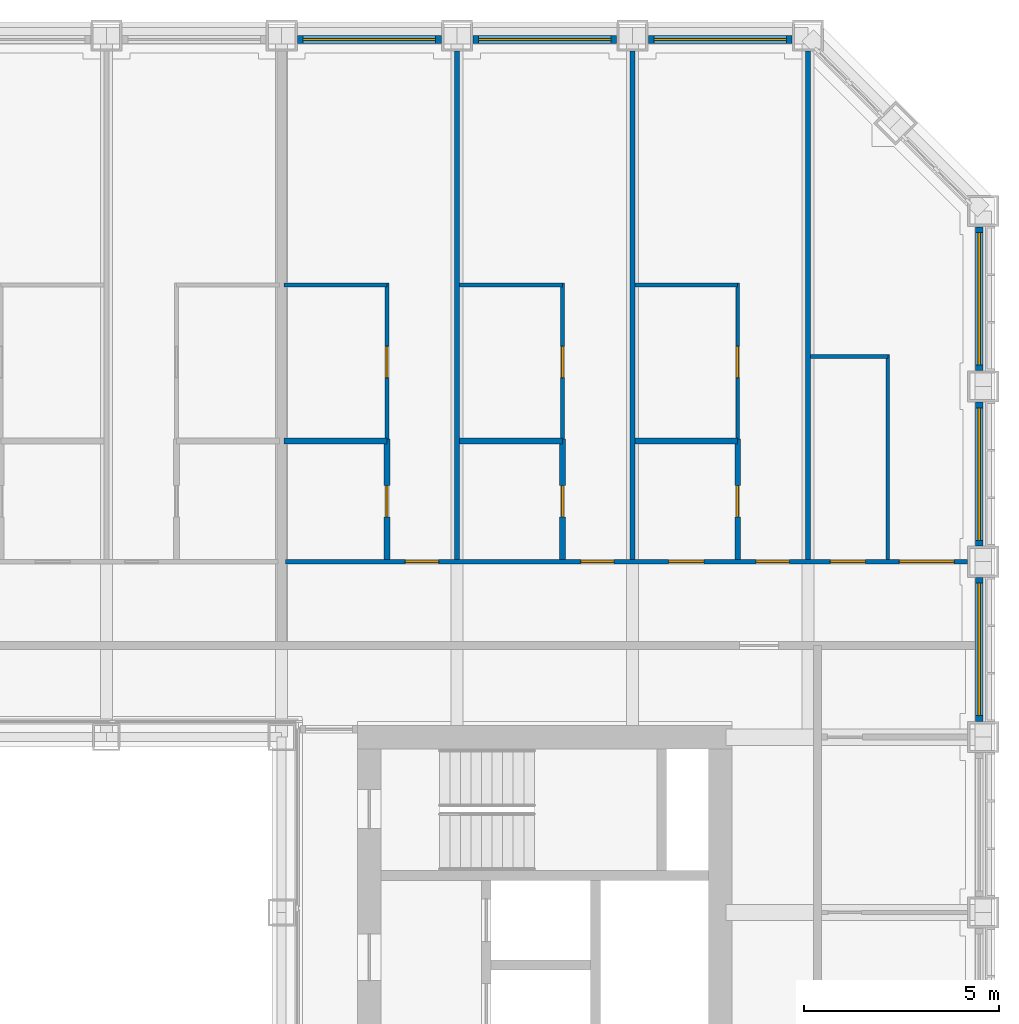
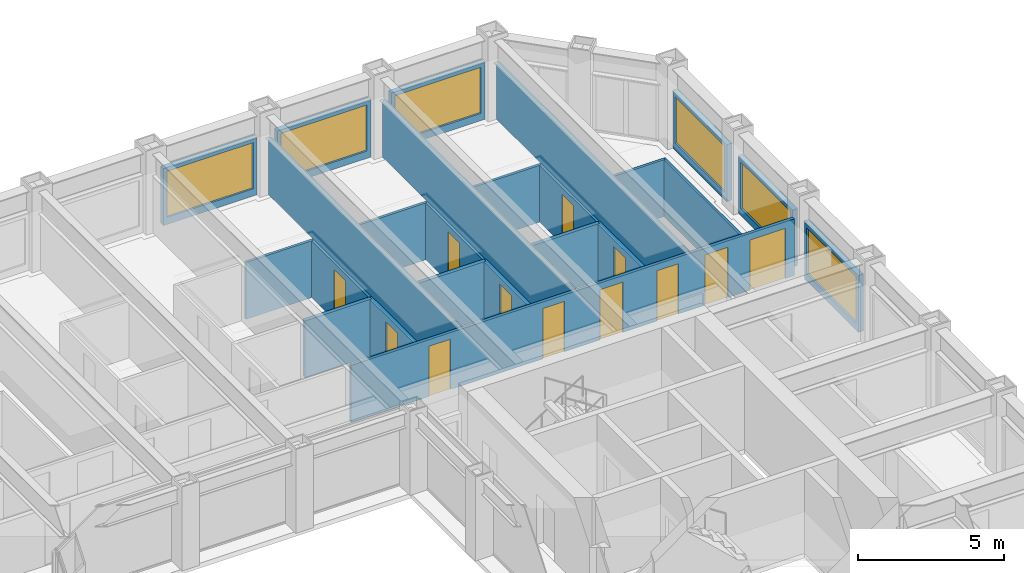
# One storey, part 15 of 21: 24 walls, 12 doors, 6 windows, 18 openings.
"""IFC4 building model written with IfcOpenShell, lengths in metres."""

from ifc_helpers import new_model, si_unit, direction, frame, frame_2d, origin, place, context, subcontext, project, spatial, rectangle, extrude, material, layer, layer_set, type_object, element, fill, save


model = new_model("IFC4")

# Units and contexts
model_context = context("Model", 3, precision=1e-05, world=origin(), true_north=direction((0.0, 1.0)))
body_context = subcontext(model_context, "Body", "Model", "MODEL_VIEW")
ifc_project = project(units=[si_unit("LENGTHUNIT", "METRE"), si_unit("AREAUNIT", "SQUARE_METRE"), si_unit("VOLUMEUNIT", "CUBIC_METRE"), si_unit("PLANEANGLEUNIT", "RADIAN"), si_unit("MASSUNIT", "GRAM", prefix="KILO")], contexts=[model_context])

# Site, building, storey
site_placement = place(None, origin())
site = spatial("IfcSite", under=ifc_project, at=site_placement, CompositionType="ELEMENT")
building_placement = place(site_placement, origin())
building = spatial("IfcBuilding", under=site, at=building_placement, Name="Msasa Ring Tower", CompositionType="ELEMENT")
storey_placement = place(building_placement, frame((0.0, 0.0, 72.0)))
storey = spatial("IfcBuildingStorey", under=building, at=storey_placement, Name="L18", CompositionType="ELEMENT", Elevation=72.0)

# Wall, opening, window
ifc_material_1 = material(Name="Terracotta rainscreen on blockwork", Category="masonry")
ifc_layer_1 = layer(ifc_material_1, 0.199951171875)
ifc_layer_set_1 = layer_set([ifc_layer_1], Name="FW1 TERRACOTTA-LINED INFILL BAY WALL 200")
wall_type_1 = type_object("IfcWallType", Name="FW1 TERRACOTTA-LINED INFILL BAY WALL 200", PredefinedType="SOLIDWALL", material=ifc_layer_set_1)
wall_1_placement = place(storey_placement, frame((24.64990234375, 7.155029296875, 0.0), z_axis=(0.0, 0.0, 1.0), x_axis=(0.0, 1.0, 0.0)))
wall_1 = element("IfcWall", 1, at=wall_1_placement, inside=storey, type_object=wall_type_1, Name="Infill bay wall E L18 17", PredefinedType="SOLIDWALL", context=body_context, shape_type="SweptSolid", body=[
    extrude(rectangle(XDim=3.68994140625, YDim=0.199951171875, at=frame_2d((1.844970703125, 0.0))), origin(), (0.0, 0.0, 1.0), 2.37890625),
])
opening_1_placement = place(wall_1_placement, frame((0.14501953125, 0.0, 0.300048828125)))
opening_1 = element("IfcOpeningElement", 2, at=opening_1_placement, cuts=wall_1, Name="Opening WN1", PredefinedType="OPENING", context=body_context, shape_type="SweptSolid", body=[
    extrude(rectangle(XDim=3.39990234375, YDim=1.928955078125, at=frame_2d((1.699951171875, 0.96435546875))), frame((0.0, 0.10986328125, 0.0), z_axis=(0.0, -1.0, 0.0), x_axis=(1.0, 0.0, 0.0)), (0.0, 0.0, 1.0), 0.219970703125),
])
ifc_material_2 = material(Name="Aluminium frame with clear glass", Category="aluminium")
window_type = type_object("IfcWindowType", Name="WN1 RESIDENCE WINDOW 3400x1929", PartitioningType="SINGLE_PANEL", PredefinedType="WINDOW", material=ifc_material_2)
window_1_placement = place(opening_1_placement, origin())
window_1 = element("IfcWindow", 3, at=window_1_placement, inside=storey, type_object=window_type, Name="Window E L18 17", OverallHeight=1.928955078125, OverallWidth=3.39990234375, PartitioningType="SINGLE_PANEL", PredefinedType="WINDOW", context=body_context, shape_type="SweptSolid", body=[
    extrude(rectangle(XDim=3.39990234375, YDim=1.928955078125, at=frame_2d((1.699951171875, 0.96435546875))), frame((0.0, 0.030029296875, 0.0), z_axis=(0.0, -1.0, 0.0), x_axis=(1.0, 0.0, 0.0)), (0.0, 0.0, 1.0), 0.06005859375),
])
fill(opening_1, window_1)

wall_2_placement = place(storey_placement, frame((24.64990234375, 11.655029296875, 0.0), z_axis=(0.0, 0.0, 1.0), x_axis=(0.0, 1.0, 0.0)))
wall_2 = element("IfcWall", 4, at=wall_2_placement, inside=storey, type_object=wall_type_1, Name="Infill bay wall E L18 18", PredefinedType="SOLIDWALL", context=body_context, shape_type="SweptSolid", body=[
    extrude(rectangle(XDim=3.68994140625, YDim=0.199951171875, at=frame_2d((1.844970703125, 0.0))), origin(), (0.0, 0.0, 1.0), 2.37890625),
])
opening_2_placement = place(wall_2_placement, frame((0.14501953125, 0.0, 0.300048828125)))
opening_2 = element("IfcOpeningElement", 5, at=opening_2_placement, cuts=wall_2, Name="Opening WN1", PredefinedType="OPENING", context=body_context, shape_type="SweptSolid", body=[
    extrude(rectangle(XDim=3.39990234375, YDim=1.928955078125, at=frame_2d((1.699951171875, 0.96435546875))), frame((0.0, 0.10986328125, 0.0), z_axis=(0.0, -1.0, 0.0), x_axis=(1.0, 0.0, 0.0)), (0.0, 0.0, 1.0), 0.219970703125),
])
window_2_placement = place(opening_2_placement, origin())
window_2 = element("IfcWindow", 6, at=window_2_placement, inside=storey, type_object=window_type, Name="Window E L18 18", OverallHeight=1.928955078125, OverallWidth=3.39990234375, PartitioningType="SINGLE_PANEL", PredefinedType="WINDOW", context=body_context, shape_type="SweptSolid", body=[
    extrude(rectangle(XDim=3.39990234375, YDim=1.928955078125, at=frame_2d((1.699951171875, 0.96435546875))), frame((0.0, 0.030029296875, 0.0), z_axis=(0.0, -1.0, 0.0), x_axis=(1.0, 0.0, 0.0)), (0.0, 0.0, 1.0), 0.06005859375),
])
fill(opening_2, window_2)

wall_3_placement = place(storey_placement, frame((24.64990234375, 16.155029296875, 0.0), z_axis=(0.0, 0.0, 1.0), x_axis=(0.0, 1.0, 0.0)))
wall_3 = element("IfcWall", 7, at=wall_3_placement, inside=storey, type_object=wall_type_1, Name="Infill bay wall E L18 19", PredefinedType="SOLIDWALL", context=body_context, shape_type="SweptSolid", body=[
    extrude(rectangle(XDim=3.68994140625, YDim=0.199951171875, at=frame_2d((1.844970703125, 0.0))), origin(), (0.0, 0.0, 1.0), 2.37890625),
])
opening_3_placement = place(wall_3_placement, frame((0.14501953125, 0.0, 0.300048828125)))
opening_3 = element("IfcOpeningElement", 8, at=opening_3_placement, cuts=wall_3, Name="Opening WN1", PredefinedType="OPENING", context=body_context, shape_type="SweptSolid", body=[
    extrude(rectangle(XDim=3.39990234375, YDim=1.928955078125, at=frame_2d((1.699951171875, 0.96435546875))), frame((0.0, 0.10986328125, 0.0), z_axis=(0.0, -1.0, 0.0), x_axis=(1.0, 0.0, 0.0)), (0.0, 0.0, 1.0), 0.219970703125),
])
window_3_placement = place(opening_3_placement, origin())
window_3 = element("IfcWindow", 9, at=window_3_placement, inside=storey, type_object=window_type, Name="Window E L18 19", OverallHeight=1.928955078125, OverallWidth=3.39990234375, PartitioningType="SINGLE_PANEL", PredefinedType="WINDOW", context=body_context, shape_type="SweptSolid", body=[
    extrude(rectangle(XDim=3.39990234375, YDim=1.928955078125, at=frame_2d((1.699951171875, 0.96435546875))), frame((0.0, 0.030029296875, 0.0), z_axis=(0.0, -1.0, 0.0), x_axis=(1.0, 0.0, 0.0)), (0.0, 0.0, 1.0), 0.06005859375),
])
fill(opening_3, window_3)

wall_4_placement = place(storey_placement, frame((7.155029296875, 24.64990234375, 0.0), z_axis=(0.0, 0.0, 1.0), x_axis=(1.0, 0.0, 0.0)))
wall_4 = element("IfcWall", 10, at=wall_4_placement, inside=storey, type_object=wall_type_1, Name="Infill bay wall N L18 28", PredefinedType="SOLIDWALL", context=body_context, shape_type="SweptSolid", body=[
    extrude(rectangle(XDim=3.68994140625, YDim=0.199951171875, at=frame_2d((1.844970703125, 0.0))), origin(), (0.0, 0.0, 1.0), 2.37890625),
])
opening_4_placement = place(wall_4_placement, frame((0.14501953125, 0.0, 0.300048828125)))
opening_4 = element("IfcOpeningElement", 11, at=opening_4_placement, cuts=wall_4, Name="Opening WN1", PredefinedType="OPENING", context=body_context, shape_type="SweptSolid", body=[
    extrude(rectangle(XDim=3.39990234375, YDim=1.928955078125, at=frame_2d((1.699951171875, 0.96435546875))), frame((0.0, 0.10986328125, 0.0), z_axis=(0.0, -1.0, 0.0), x_axis=(1.0, 0.0, 0.0)), (0.0, 0.0, 1.0), 0.219970703125),
])
window_4_placement = place(opening_4_placement, origin())
window_4 = element("IfcWindow", 12, at=window_4_placement, inside=storey, type_object=window_type, Name="Window N L18 28", OverallHeight=1.928955078125, OverallWidth=3.39990234375, PartitioningType="SINGLE_PANEL", PredefinedType="WINDOW", context=body_context, shape_type="SweptSolid", body=[
    extrude(rectangle(XDim=3.39990234375, YDim=1.928955078125, at=frame_2d((1.699951171875, 0.96435546875))), frame((0.0, 0.030029296875, 0.0), z_axis=(0.0, -1.0, 0.0), x_axis=(1.0, 0.0, 0.0)), (0.0, 0.0, 1.0), 0.06005859375),
])
fill(opening_4, window_4)

wall_5_placement = place(storey_placement, frame((11.655029296875, 24.64990234375, 0.0), z_axis=(0.0, 0.0, 1.0), x_axis=(1.0, 0.0, 0.0)))
wall_5 = element("IfcWall", 13, at=wall_5_placement, inside=storey, type_object=wall_type_1, Name="Infill bay wall N L18 29", PredefinedType="SOLIDWALL", context=body_context, shape_type="SweptSolid", body=[
    extrude(rectangle(XDim=3.68994140625, YDim=0.199951171875, at=frame_2d((1.844970703125, 0.0))), origin(), (0.0, 0.0, 1.0), 2.37890625),
])
opening_5_placement = place(wall_5_placement, frame((0.14501953125, 0.0, 0.300048828125)))
opening_5 = element("IfcOpeningElement", 14, at=opening_5_placement, cuts=wall_5, Name="Opening WN1", PredefinedType="OPENING", context=body_context, shape_type="SweptSolid", body=[
    extrude(rectangle(XDim=3.39990234375, YDim=1.928955078125, at=frame_2d((1.699951171875, 0.96435546875))), frame((0.0, 0.10986328125, 0.0), z_axis=(0.0, -1.0, 0.0), x_axis=(1.0, 0.0, 0.0)), (0.0, 0.0, 1.0), 0.219970703125),
])
window_5_placement = place(opening_5_placement, origin())
window_5 = element("IfcWindow", 15, at=window_5_placement, inside=storey, type_object=window_type, Name="Window N L18 29", OverallHeight=1.928955078125, OverallWidth=3.39990234375, PartitioningType="SINGLE_PANEL", PredefinedType="WINDOW", context=body_context, shape_type="SweptSolid", body=[
    extrude(rectangle(XDim=3.39990234375, YDim=1.928955078125, at=frame_2d((1.699951171875, 0.96435546875))), frame((0.0, 0.030029296875, 0.0), z_axis=(0.0, -1.0, 0.0), x_axis=(1.0, 0.0, 0.0)), (0.0, 0.0, 1.0), 0.06005859375),
])
fill(opening_5, window_5)

wall_6_placement = place(storey_placement, frame((16.155029296875, 24.64990234375, 0.0), z_axis=(0.0, 0.0, 1.0), x_axis=(1.0, 0.0, 0.0)))
wall_6 = element("IfcWall", 16, at=wall_6_placement, inside=storey, type_object=wall_type_1, Name="Infill bay wall N L18 30", PredefinedType="SOLIDWALL", context=body_context, shape_type="SweptSolid", body=[
    extrude(rectangle(XDim=3.68994140625, YDim=0.199951171875, at=frame_2d((1.844970703125, 0.0))), origin(), (0.0, 0.0, 1.0), 2.37890625),
])
opening_6_placement = place(wall_6_placement, frame((0.14501953125, 0.0, 0.300048828125)))
opening_6 = element("IfcOpeningElement", 17, at=opening_6_placement, cuts=wall_6, Name="Opening WN1", PredefinedType="OPENING", context=body_context, shape_type="SweptSolid", body=[
    extrude(rectangle(XDim=3.39990234375, YDim=1.928955078125, at=frame_2d((1.699951171875, 0.96435546875))), frame((0.0, 0.10986328125, 0.0), z_axis=(0.0, -1.0, 0.0), x_axis=(1.0, 0.0, 0.0)), (0.0, 0.0, 1.0), 0.219970703125),
])
window_6_placement = place(opening_6_placement, origin())
window_6 = element("IfcWindow", 18, at=window_6_placement, inside=storey, type_object=window_type, Name="Window N L18 30", OverallHeight=1.928955078125, OverallWidth=3.39990234375, PartitioningType="SINGLE_PANEL", PredefinedType="WINDOW", context=body_context, shape_type="SweptSolid", body=[
    extrude(rectangle(XDim=3.39990234375, YDim=1.928955078125, at=frame_2d((1.699951171875, 0.96435546875))), frame((0.0, 0.030029296875, 0.0), z_axis=(0.0, -1.0, 0.0), x_axis=(1.0, 0.0, 0.0)), (0.0, 0.0, 1.0), 0.06005859375),
])
fill(opening_6, window_6)

# Walls
ifc_material_3 = material(Name="Gypsum board on steel studs", Category="steel")
ifc_layer_2 = layer(ifc_material_3, 0.10009765625)
ifc_layer_set_2 = layer_set([ifc_layer_2], Name="PT2 STUD PARTITION 100")
wall_type_2 = type_object("IfcWallType", Name="PT2 STUD PARTITION 100", PredefinedType="PARTITIONING", material=ifc_layer_set_2)
wall_7_placement = place(storey_placement, frame((22.300048828125, 11.3125, 0.0), z_axis=(0.0, 0.0, 1.0), x_axis=(0.0, 1.0, 0.0)))
element("IfcWall", 19, at=wall_7_placement, inside=storey, type_object=wall_type_2, Name="Partition L18-UN02KX", PredefinedType="PARTITIONING", context=body_context, shape_type="SweptSolid", body=[
    extrude(rectangle(XDim=5.25, YDim=0.10009765625, at=frame_2d((2.625, 0.0))), origin(), (0.0, 0.0, 1.0), 2.373291015625),
])
wall_8_placement = place(storey_placement, frame((20.3125, 16.512451171875, 0.0), z_axis=(0.0, 0.0, 1.0), x_axis=(1.0, 0.0, 0.0)))
element("IfcWall", 20, at=wall_8_placement, inside=storey, type_object=wall_type_2, Name="Partition L18-UN02KY", PredefinedType="PARTITIONING", context=body_context, shape_type="SweptSolid", body=[
    extrude(rectangle(XDim=1.987548828125, YDim=0.10009765625, at=frame_2d((0.99365234375, 0.0))), origin(), (0.0, 0.0, 1.0), 2.373291015625),
])

# Wall, opening, door
wall_9_placement = place(storey_placement, frame((18.449951171875, 14.39990234375, 0.0), z_axis=(0.0, 0.0, 1.0), x_axis=(0.0, 1.0, 0.0)))
wall_9 = element("IfcWall", 21, at=wall_9_placement, inside=storey, type_object=wall_type_2, Name="Partition L18-UN02WX1", PredefinedType="PARTITIONING", context=body_context, shape_type="SweptSolid", body=[
    extrude(rectangle(XDim=4.00048828125, YDim=0.10009765625, at=frame_2d((2.000244140625, 0.0))), origin(), (0.0, 0.0, 1.0), 2.373291015625),
])
opening_7_placement = place(wall_9_placement, frame((1.5751953125, 0.0, 0.0)))
opening_7 = element("IfcOpeningElement", 22, at=opening_7_placement, cuts=wall_9, Name="Opening RE-008", PredefinedType="OPENING", context=body_context, shape_type="SweptSolid", body=[
    extrude(rectangle(XDim=0.800048828125, YDim=2.10009765625, at=frame_2d((0.39990234375, 1.050048828125))), frame((0.0, 0.06005859375, 0.0), z_axis=(0.0, -1.0, 0.0), x_axis=(1.0, 0.0, 0.0)), (0.0, 0.0, 1.0), 0.1201171875),
])
ifc_material_4 = material(Name="Timber door leaf in a steel frame", Category="steel")
door_type_1 = type_object("IfcDoorType", Name="D60 DRESSING ROOM DOOR 800x2100", OperationType="SINGLE_SWING_LEFT", PredefinedType="DOOR", material=ifc_material_4)
door_1_placement = place(opening_7_placement, origin())
door_1 = element("IfcDoor", 23, at=door_1_placement, inside=storey, type_object=door_type_1, Name="Door L18-UN02W1", OperationType="SINGLE_SWING_LEFT", OverallHeight=2.10009765625, OverallWidth=0.800048828125, PredefinedType="DOOR", context=body_context, shape_type="SweptSolid", body=[
    extrude(rectangle(XDim=0.800048828125, YDim=2.10009765625, at=frame_2d((0.39990234375, 1.050048828125))), frame((0.0, 0.02490234375, 0.0), z_axis=(0.0, -1.0, 0.0), x_axis=(1.0, 0.0, 0.0)), (0.0, 0.0, 1.0), 0.050048828125),
])
fill(opening_7, door_1)

# Wall
wall_10_placement = place(storey_placement, frame((15.81005859375, 18.350341796875, 0.0), z_axis=(0.0, 0.0, 1.0), x_axis=(1.0, 0.0, 0.0)))
element("IfcWall", 24, at=wall_10_placement, inside=storey, type_object=wall_type_2, Name="Partition L18-UN02WY1", PredefinedType="PARTITIONING", context=body_context, shape_type="SweptSolid", body=[
    extrude(rectangle(XDim=2.639892578125, YDim=0.10009765625, at=frame_2d((1.31982421875, 0.0))), origin(), (0.0, 0.0, 1.0), 2.373291015625),
])

# Wall, opening, door
wall_11_placement = place(storey_placement, frame((13.949951171875, 14.39990234375, 0.0), z_axis=(0.0, 0.0, 1.0), x_axis=(0.0, 1.0, 0.0)))
wall_11 = element("IfcWall", 25, at=wall_11_placement, inside=storey, type_object=wall_type_2, Name="Partition L18-UN02WX2", PredefinedType="PARTITIONING", context=body_context, shape_type="SweptSolid", body=[
    extrude(rectangle(XDim=4.003173828125, YDim=0.10009765625, at=frame_2d((2.00146484375, 0.0))), origin(), (0.0, 0.0, 1.0), 2.373291015625),
])
opening_8_placement = place(wall_11_placement, frame((1.576416015625, 0.0, 0.0)))
opening_8 = element("IfcOpeningElement", 26, at=opening_8_placement, cuts=wall_11, Name="Opening RE-007", PredefinedType="OPENING", context=body_context, shape_type="SweptSolid", body=[
    extrude(rectangle(XDim=0.800048828125, YDim=2.10009765625, at=frame_2d((0.39990234375, 1.050048828125))), frame((0.0, 0.06005859375, 0.0), z_axis=(0.0, -1.0, 0.0), x_axis=(1.0, 0.0, 0.0)), (0.0, 0.0, 1.0), 0.1201171875),
])
door_2_placement = place(opening_8_placement, origin())
door_2 = element("IfcDoor", 27, at=door_2_placement, inside=storey, type_object=door_type_1, Name="Door L18-UN02W2", OperationType="SINGLE_SWING_LEFT", OverallHeight=2.10009765625, OverallWidth=0.800048828125, PredefinedType="DOOR", context=body_context, shape_type="SweptSolid", body=[
    extrude(rectangle(XDim=0.800048828125, YDim=2.10009765625, at=frame_2d((0.39990234375, 1.050048828125))), frame((0.0, 0.02490234375, 0.0), z_axis=(0.0, -1.0, 0.0), x_axis=(1.0, 0.0, 0.0)), (0.0, 0.0, 1.0), 0.050048828125),
])
fill(opening_8, door_2)

# Wall
wall_12_placement = place(storey_placement, frame((11.31005859375, 18.35302734375, 0.0), z_axis=(0.0, 0.0, 1.0), x_axis=(1.0, 0.0, 0.0)))
element("IfcWall", 28, at=wall_12_placement, inside=storey, type_object=wall_type_2, Name="Partition L18-UN02WY2", PredefinedType="PARTITIONING", context=body_context, shape_type="SweptSolid", body=[
    extrude(rectangle(XDim=2.639892578125, YDim=0.10009765625, at=frame_2d((1.31982421875, 0.0))), origin(), (0.0, 0.0, 1.0), 2.373291015625),
])

# Wall, opening, door
wall_13_placement = place(storey_placement, frame((9.449951171875, 14.39990234375, 0.0), z_axis=(0.0, 0.0, 1.0), x_axis=(0.0, 1.0, 0.0)))
wall_13 = element("IfcWall", 29, at=wall_13_placement, inside=storey, type_object=wall_type_2, Name="Partition L18-UN02WX3", PredefinedType="PARTITIONING", context=body_context, shape_type="SweptSolid", body=[
    extrude(rectangle(XDim=4.003173828125, YDim=0.10009765625, at=frame_2d((2.00146484375, 0.0))), origin(), (0.0, 0.0, 1.0), 2.373291015625),
])
opening_9_placement = place(wall_13_placement, frame((1.576416015625, 0.0, 0.0)))
opening_9 = element("IfcOpeningElement", 30, at=opening_9_placement, cuts=wall_13, Name="Opening RE-006", PredefinedType="OPENING", context=body_context, shape_type="SweptSolid", body=[
    extrude(rectangle(XDim=0.800048828125, YDim=2.10009765625, at=frame_2d((0.39990234375, 1.050048828125))), frame((0.0, 0.06005859375, 0.0), z_axis=(0.0, -1.0, 0.0), x_axis=(1.0, 0.0, 0.0)), (0.0, 0.0, 1.0), 0.1201171875),
])
door_3_placement = place(opening_9_placement, origin())
door_3 = element("IfcDoor", 31, at=door_3_placement, inside=storey, type_object=door_type_1, Name="Door L18-UN02W3", OperationType="SINGLE_SWING_LEFT", OverallHeight=2.10009765625, OverallWidth=0.800048828125, PredefinedType="DOOR", context=body_context, shape_type="SweptSolid", body=[
    extrude(rectangle(XDim=0.800048828125, YDim=2.10009765625, at=frame_2d((0.39990234375, 1.050048828125))), frame((0.0, 0.02490234375, 0.0), z_axis=(0.0, -1.0, 0.0), x_axis=(1.0, 0.0, 0.0)), (0.0, 0.0, 1.0), 0.050048828125),
])
fill(opening_9, door_3)

# Wall
wall_14_placement = place(storey_placement, frame((6.81005859375, 18.35302734375, 0.0), z_axis=(0.0, 0.0, 1.0), x_axis=(1.0, 0.0, 0.0)))
element("IfcWall", 32, at=wall_14_placement, inside=storey, type_object=wall_type_2, Name="Partition L18-UN02WY3", PredefinedType="PARTITIONING", context=body_context, shape_type="SweptSolid", body=[
    extrude(rectangle(XDim=2.639892578125, YDim=0.10009765625, at=frame_2d((1.31982421875, 0.0))), origin(), (0.0, 0.0, 1.0), 2.373291015625),
])

# Wall, opening, door
ifc_material_5 = material(Name="Moisture-resistant board on steel studs with a concealed cistern and pipe void, tiled", Category="steel")
ifc_layer_3 = layer(ifc_material_5, 0.14990234375)
ifc_layer_set_3 = layer_set([ifc_layer_3], Name="PT4 BATHROOM WET WALL 150")
wall_type_3 = type_object("IfcWallType", Name="PT4 BATHROOM WET WALL 150", PredefinedType="PARTITIONING", material=ifc_layer_set_3)
wall_15_placement = place(storey_placement, frame((18.449951171875, 11.3125, 0.0), z_axis=(0.0, 0.0, 1.0), x_axis=(0.0, 1.0, 0.0)))
wall_15 = element("IfcWall", 33, at=wall_15_placement, inside=storey, type_object=wall_type_3, Name="Partition L18-UN02BX1", PredefinedType="PARTITIONING", context=body_context, shape_type="SweptSolid", body=[
    extrude(rectangle(XDim=3.08740234375, YDim=0.14990234375, at=frame_2d((1.543701171875, 0.0))), origin(), (0.0, 0.0, 1.0), 2.373291015625),
])
opening_10_placement = place(wall_15_placement, frame((1.08740234375, 0.0, 0.0)))
opening_10 = element("IfcOpeningElement", 34, at=opening_10_placement, cuts=wall_15, Name="Opening RE-016", PredefinedType="OPENING", context=body_context, shape_type="SweptSolid", body=[
    extrude(rectangle(XDim=0.800048828125, YDim=2.10009765625, at=frame_2d((0.39990234375, 1.050048828125))), frame((0.0, 0.0849609375, 0.0), z_axis=(0.0, -1.0, 0.0), x_axis=(1.0, 0.0, 0.0)), (0.0, 0.0, 1.0), 0.169921875),
])
ifc_material_6 = material(Name="Timber door leaf in a steel frame", Category="steel")
door_type_2 = type_object("IfcDoorType", Name="D21 POCKET SLIDING BATHROOM DOOR 800x2100", OperationType="SINGLE_SWING_LEFT", PredefinedType="DOOR", material=ifc_material_6)
door_4_placement = place(opening_10_placement, origin())
door_4 = element("IfcDoor", 35, at=door_4_placement, inside=storey, type_object=door_type_2, Name="Door L18-UN02B1", OperationType="SINGLE_SWING_LEFT", OverallHeight=2.10009765625, OverallWidth=0.800048828125, PredefinedType="DOOR", context=body_context, shape_type="SweptSolid", body=[
    extrude(rectangle(XDim=0.800048828125, YDim=2.10009765625, at=frame_2d((0.39990234375, 1.050048828125))), frame((0.0, 0.02490234375, 0.0), z_axis=(0.0, -1.0, 0.0), x_axis=(1.0, 0.0, 0.0)), (0.0, 0.0, 1.0), 0.050048828125),
])
fill(opening_10, door_4)

# Wall
wall_16_placement = place(storey_placement, frame((15.81005859375, 14.35009765625, 0.0), z_axis=(0.0, 0.0, 1.0), x_axis=(1.0, 0.0, 0.0)))
element("IfcWall", 36, at=wall_16_placement, inside=storey, type_object=wall_type_3, Name="Partition L18-UN02BY1", PredefinedType="PARTITIONING", context=body_context, shape_type="SweptSolid", body=[
    extrude(rectangle(XDim=2.639892578125, YDim=0.14990234375, at=frame_2d((1.31982421875, 0.0))), origin(), (0.0, 0.0, 1.0), 2.373291015625),
])

# Wall, opening, door
wall_17_placement = place(storey_placement, frame((13.949951171875, 11.3125, 0.0), z_axis=(0.0, 0.0, 1.0), x_axis=(0.0, 1.0, 0.0)))
wall_17 = element("IfcWall", 37, at=wall_17_placement, inside=storey, type_object=wall_type_3, Name="Partition L18-UN02BX2", PredefinedType="PARTITIONING", context=body_context, shape_type="SweptSolid", body=[
    extrude(rectangle(XDim=3.08740234375, YDim=0.14990234375, at=frame_2d((1.543701171875, 0.0))), origin(), (0.0, 0.0, 1.0), 2.373291015625),
])
opening_11_placement = place(wall_17_placement, frame((1.08740234375, 0.0, 0.0)))
opening_11 = element("IfcOpeningElement", 38, at=opening_11_placement, cuts=wall_17, Name="Opening RE-015", PredefinedType="OPENING", context=body_context, shape_type="SweptSolid", body=[
    extrude(rectangle(XDim=0.800048828125, YDim=2.10009765625, at=frame_2d((0.39990234375, 1.050048828125))), frame((0.0, 0.0849609375, 0.0), z_axis=(0.0, -1.0, 0.0), x_axis=(1.0, 0.0, 0.0)), (0.0, 0.0, 1.0), 0.169921875),
])
door_5_placement = place(opening_11_placement, origin())
door_5 = element("IfcDoor", 39, at=door_5_placement, inside=storey, type_object=door_type_2, Name="Door L18-UN02B2", OperationType="SINGLE_SWING_LEFT", OverallHeight=2.10009765625, OverallWidth=0.800048828125, PredefinedType="DOOR", context=body_context, shape_type="SweptSolid", body=[
    extrude(rectangle(XDim=0.800048828125, YDim=2.10009765625, at=frame_2d((0.39990234375, 1.050048828125))), frame((0.0, 0.02490234375, 0.0), z_axis=(0.0, -1.0, 0.0), x_axis=(1.0, 0.0, 0.0)), (0.0, 0.0, 1.0), 0.050048828125),
])
fill(opening_11, door_5)

# Wall
wall_18_placement = place(storey_placement, frame((11.31005859375, 14.35009765625, 0.0), z_axis=(0.0, 0.0, 1.0), x_axis=(1.0, 0.0, 0.0)))
element("IfcWall", 40, at=wall_18_placement, inside=storey, type_object=wall_type_3, Name="Partition L18-UN02BY2", PredefinedType="PARTITIONING", context=body_context, shape_type="SweptSolid", body=[
    extrude(rectangle(XDim=2.639892578125, YDim=0.14990234375, at=frame_2d((1.31982421875, 0.0))), origin(), (0.0, 0.0, 1.0), 2.373291015625),
])

# Wall, opening, door
wall_19_placement = place(storey_placement, frame((9.449951171875, 11.3125, 0.0), z_axis=(0.0, 0.0, 1.0), x_axis=(0.0, 1.0, 0.0)))
wall_19 = element("IfcWall", 41, at=wall_19_placement, inside=storey, type_object=wall_type_3, Name="Partition L18-UN02BX3", PredefinedType="PARTITIONING", context=body_context, shape_type="SweptSolid", body=[
    extrude(rectangle(XDim=3.08740234375, YDim=0.14990234375, at=frame_2d((1.543701171875, 0.0))), origin(), (0.0, 0.0, 1.0), 2.373291015625),
])
opening_12_placement = place(wall_19_placement, frame((1.08740234375, 0.0, 0.0)))
opening_12 = element("IfcOpeningElement", 42, at=opening_12_placement, cuts=wall_19, Name="Opening RE-014", PredefinedType="OPENING", context=body_context, shape_type="SweptSolid", body=[
    extrude(rectangle(XDim=0.800048828125, YDim=2.10009765625, at=frame_2d((0.39990234375, 1.050048828125))), frame((0.0, 0.0849609375, 0.0), z_axis=(0.0, -1.0, 0.0), x_axis=(1.0, 0.0, 0.0)), (0.0, 0.0, 1.0), 0.169921875),
])
door_6_placement = place(opening_12_placement, origin())
door_6 = element("IfcDoor", 43, at=door_6_placement, inside=storey, type_object=door_type_2, Name="Door L18-UN02B3", OperationType="SINGLE_SWING_LEFT", OverallHeight=2.10009765625, OverallWidth=0.800048828125, PredefinedType="DOOR", context=body_context, shape_type="SweptSolid", body=[
    extrude(rectangle(XDim=0.800048828125, YDim=2.10009765625, at=frame_2d((0.39990234375, 1.050048828125))), frame((0.0, 0.02490234375, 0.0), z_axis=(0.0, -1.0, 0.0), x_axis=(1.0, 0.0, 0.0)), (0.0, 0.0, 1.0), 0.050048828125),
])
fill(opening_12, door_6)

# Wall
wall_20_placement = place(storey_placement, frame((6.81005859375, 14.35009765625, 0.0), z_axis=(0.0, 0.0, 1.0), x_axis=(1.0, 0.0, 0.0)))
element("IfcWall", 44, at=wall_20_placement, inside=storey, type_object=wall_type_3, Name="Partition L18-UN02BY3", PredefinedType="PARTITIONING", context=body_context, shape_type="SweptSolid", body=[
    extrude(rectangle(XDim=2.639892578125, YDim=0.14990234375, at=frame_2d((1.31982421875, 0.0))), origin(), (0.0, 0.0, 1.0), 2.373291015625),
])

# Wall, openings, doors
ifc_material_7 = material(Name="Two layers of acoustic board each face on steel studs, mineral wool", Category="steel")
ifc_layer_4 = layer(ifc_material_7, 0.125)
ifc_layer_set_4 = layer_set([ifc_layer_4], Name="PT6 ACOUSTIC DOUBLE-BOARD PARTITION 125")
wall_type_4 = type_object("IfcWallType", Name="PT6 ACOUSTIC DOUBLE-BOARD PARTITION 125", PredefinedType="PARTITIONING", material=ifc_layer_set_4)
wall_21_placement = place(storey_placement, frame((6.85009765625, 11.25, 0.0), z_axis=(0.0, 0.0, 1.0), x_axis=(1.0, 0.0, 0.0)))
wall_21 = element("IfcWall", 45, at=wall_21_placement, inside=storey, type_object=wall_type_4, Name="Partition L18-UN02HY", PredefinedType="PARTITIONING", context=body_context, shape_type="SweptSolid", body=[
    extrude(rectangle(XDim=17.5, YDim=0.125, at=frame_2d((8.75, 0.0))), origin(), (0.0, 0.0, 1.0), 2.373291015625),
])
opening_13_placement = place(wall_21_placement, frame((13.97509765625, 0.0, 0.0)))
opening_13 = element("IfcOpeningElement", 46, at=opening_13_placement, cuts=wall_21, Name="Opening RE-032", PredefinedType="OPENING", context=body_context, shape_type="SweptSolid", body=[
    extrude(rectangle(XDim=0.89990234375, YDim=2.10009765625, at=frame_2d((0.449951171875, 1.050048828125))), frame((0.0, 0.072509765625, 0.0), z_axis=(0.0, -1.0, 0.0), x_axis=(1.0, 0.0, 0.0)), (0.0, 0.0, 1.0), 0.14501953125),
])
opening_14_placement = place(wall_21_placement, frame((15.75, 0.0, 0.0)))
opening_14 = element("IfcOpeningElement", 47, at=opening_14_placement, cuts=wall_21, Name="Opening RE-033", PredefinedType="OPENING", context=body_context, shape_type="SweptSolid", body=[
    extrude(rectangle(XDim=1.39990234375, YDim=2.10009765625, at=frame_2d((0.699951171875, 1.050048828125))), frame((0.0, 0.072509765625, 0.0), z_axis=(0.0, -1.0, 0.0), x_axis=(1.0, 0.0, 0.0)), (0.0, 0.0, 1.0), 0.14501953125),
])
opening_15_placement = place(wall_21_placement, frame((12.074951171875, 0.0, 0.0)))
opening_15 = element("IfcOpeningElement", 48, at=opening_15_placement, cuts=wall_21, Name="Opening RE-031", PredefinedType="OPENING", context=body_context, shape_type="SweptSolid", body=[
    extrude(rectangle(XDim=0.85009765625, YDim=2.10009765625, at=frame_2d((0.425048828125, 1.050048828125))), frame((0.0, 0.072509765625, 0.0), z_axis=(0.0, -1.0, 0.0), x_axis=(1.0, 0.0, 0.0)), (0.0, 0.0, 1.0), 0.14501953125),
])
opening_16_placement = place(wall_21_placement, frame((9.830078125, 0.0, 0.0)))
opening_16 = element("IfcOpeningElement", 49, at=opening_16_placement, cuts=wall_21, Name="Opening RE-030", PredefinedType="OPENING", context=body_context, shape_type="SweptSolid", body=[
    extrude(rectangle(XDim=0.89990234375, YDim=2.10009765625, at=frame_2d((0.449951171875, 1.050048828125))), frame((0.0, 0.072509765625, 0.0), z_axis=(0.0, -1.0, 0.0), x_axis=(1.0, 0.0, 0.0)), (0.0, 0.0, 1.0), 0.14501953125),
])
opening_17_placement = place(wall_21_placement, frame((7.574951171875, 0.0, 0.0)))
opening_17 = element("IfcOpeningElement", 50, at=opening_17_placement, cuts=wall_21, Name="Opening RE-029", PredefinedType="OPENING", context=body_context, shape_type="SweptSolid", body=[
    extrude(rectangle(XDim=0.85009765625, YDim=2.10009765625, at=frame_2d((0.425048828125, 1.050048828125))), frame((0.0, 0.072509765625, 0.0), z_axis=(0.0, -1.0, 0.0), x_axis=(1.0, 0.0, 0.0)), (0.0, 0.0, 1.0), 0.14501953125),
])
opening_18_placement = place(wall_21_placement, frame((3.074951171875, 0.0, 0.0)))
opening_18 = element("IfcOpeningElement", 51, at=opening_18_placement, cuts=wall_21, Name="Opening RE-028", PredefinedType="OPENING", context=body_context, shape_type="SweptSolid", body=[
    extrude(rectangle(XDim=0.85009765625, YDim=2.10009765625, at=frame_2d((0.425048828125, 1.050048828125))), frame((0.0, 0.072509765625, 0.0), z_axis=(0.0, -1.0, 0.0), x_axis=(1.0, 0.0, 0.0)), (0.0, 0.0, 1.0), 0.14501953125),
])
ifc_material_8 = material(Name="Timber door leaf in a steel frame", Category="steel")
door_type_3 = type_object("IfcDoorType", Name="D14 BEDROOM DOOR 850x2100", OperationType="SINGLE_SWING_LEFT", PredefinedType="DOOR", material=ifc_material_8)
door_7_placement = place(opening_15_placement, origin())
door_7 = element("IfcDoor", 52, at=door_7_placement, inside=storey, type_object=door_type_3, Name="Door L18-UN02R1", OperationType="SINGLE_SWING_RIGHT", OverallHeight=2.10009765625, OverallWidth=0.85009765625, PredefinedType="DOOR", context=body_context, shape_type="SweptSolid", body=[
    extrude(rectangle(XDim=0.85009765625, YDim=2.10009765625, at=frame_2d((0.425048828125, 1.050048828125))), frame((0.0, 0.02490234375, 0.0), z_axis=(0.0, -1.0, 0.0), x_axis=(1.0, 0.0, 0.0)), (0.0, 0.0, 1.0), 0.050048828125),
])
fill(opening_15, door_7)
door_8_placement = place(opening_17_placement, origin())
door_8 = element("IfcDoor", 53, at=door_8_placement, inside=storey, type_object=door_type_3, Name="Door L18-UN02R2", OperationType="SINGLE_SWING_LEFT", OverallHeight=2.10009765625, OverallWidth=0.85009765625, PredefinedType="DOOR", context=body_context, shape_type="SweptSolid", body=[
    extrude(rectangle(XDim=0.85009765625, YDim=2.10009765625, at=frame_2d((0.425048828125, 1.050048828125))), frame((0.0, 0.02490234375, 0.0), z_axis=(0.0, -1.0, 0.0), x_axis=(1.0, 0.0, 0.0)), (0.0, 0.0, 1.0), 0.050048828125),
])
fill(opening_17, door_8)
door_9_placement = place(opening_18_placement, origin())
door_9 = element("IfcDoor", 54, at=door_9_placement, inside=storey, type_object=door_type_3, Name="Door L18-UN02R3", OperationType="SINGLE_SWING_LEFT", OverallHeight=2.10009765625, OverallWidth=0.85009765625, PredefinedType="DOOR", context=body_context, shape_type="SweptSolid", body=[
    extrude(rectangle(XDim=0.85009765625, YDim=2.10009765625, at=frame_2d((0.425048828125, 1.050048828125))), frame((0.0, 0.02490234375, 0.0), z_axis=(0.0, -1.0, 0.0), x_axis=(1.0, 0.0, 0.0)), (0.0, 0.0, 1.0), 0.050048828125),
])
fill(opening_18, door_9)
ifc_material_9 = material(Name="Timber door leaf in a steel frame", Category="steel")
door_type_4 = type_object("IfcDoorType", Name="D15 LIVING ROOM PAIR OF GLAZED DOORS 1400x2100", OperationType="SINGLE_SWING_LEFT", PredefinedType="DOOR", material=ifc_material_9)
door_10_placement = place(opening_14_placement, origin())
door_10 = element("IfcDoor", 55, at=door_10_placement, inside=storey, type_object=door_type_4, Name="Door L18-UN02L", OperationType="SINGLE_SWING_RIGHT", OverallHeight=2.10009765625, OverallWidth=1.39990234375, PredefinedType="DOOR", context=body_context, shape_type="SweptSolid", body=[
    extrude(rectangle(XDim=1.39990234375, YDim=2.10009765625, at=frame_2d((0.699951171875, 1.050048828125))), frame((0.0, 0.02490234375, 0.0), z_axis=(0.0, -1.0, 0.0), x_axis=(1.0, 0.0, 0.0)), (0.0, 0.0, 1.0), 0.050048828125),
])
fill(opening_14, door_10)
ifc_material_10 = material(Name="Timber door leaf in a steel frame", Category="steel")
door_type_5 = type_object("IfcDoorType", Name="D22 INTERNAL HALL DOOR 900x2100", OperationType="SINGLE_SWING_LEFT", PredefinedType="DOOR", material=ifc_material_10)
door_11_placement = place(opening_13_placement, origin())
door_11 = element("IfcDoor", 56, at=door_11_placement, inside=storey, type_object=door_type_5, Name="Door L18-UN02K", OperationType="SINGLE_SWING_RIGHT", OverallHeight=2.10009765625, OverallWidth=0.89990234375, PredefinedType="DOOR", context=body_context, shape_type="SweptSolid", body=[
    extrude(rectangle(XDim=0.89990234375, YDim=2.10009765625, at=frame_2d((0.449951171875, 1.050048828125))), frame((0.0, 0.02490234375, 0.0), z_axis=(0.0, -1.0, 0.0), x_axis=(1.0, 0.0, 0.0)), (0.0, 0.0, 1.0), 0.050048828125),
])
fill(opening_13, door_11)
ifc_material_11 = material(Name="Timber door leaf in a steel frame", Category="steel")
door_type_6 = type_object("IfcDoorType", Name="D3 BATHROOM DOOR 900x2100", OperationType="SINGLE_SWING_LEFT", PredefinedType="DOOR", material=ifc_material_11)
door_12_placement = place(opening_16_placement, origin())
door_12 = element("IfcDoor", 57, at=door_12_placement, inside=storey, type_object=door_type_6, Name="Door L18-UN02BH1", OperationType="SINGLE_SWING_RIGHT", OverallHeight=2.10009765625, OverallWidth=0.89990234375, PredefinedType="DOOR", context=body_context, shape_type="SweptSolid", body=[
    extrude(rectangle(XDim=0.89990234375, YDim=2.10009765625, at=frame_2d((0.449951171875, 1.050048828125))), frame((0.0, 0.02490234375, 0.0), z_axis=(0.0, -1.0, 0.0), x_axis=(1.0, 0.0, 0.0)), (0.0, 0.0, 1.0), 0.050048828125),
])
fill(opening_16, door_12)

# Walls
for number, where, z_axis, x_axis, name in (
    (58, (20.25, 11.3125, 0.0), (0.0, 0.0, 1.0), (0.0, 1.0, 0.0), "Partition L18-UN02P1"),
    (59, (15.75, 11.3125, 0.0), (0.0, 0.0, 1.0), (0.0, 1.0, 0.0), "Partition L18-UN02P2"),
    (60, (11.25, 11.3125, 0.0), (0.0, 0.0, 1.0), (0.0, 1.0, 0.0), "Partition L18-UN02P3"),
):
    element("IfcWall", number, at=place(storey_placement, frame(where, z_axis=z_axis, x_axis=x_axis)), inside=storey, type_object=wall_type_4, Name=name, PredefinedType="PARTITIONING", context=body_context, shape_type="SweptSolid", body=[
        extrude(rectangle(XDim=13.03759765625, YDim=0.125, at=frame_2d((6.518798828125, 0.0))), origin(), (0.0, 0.0, 1.0), 2.373291015625),
    ])

save(model, "model.ifc")
